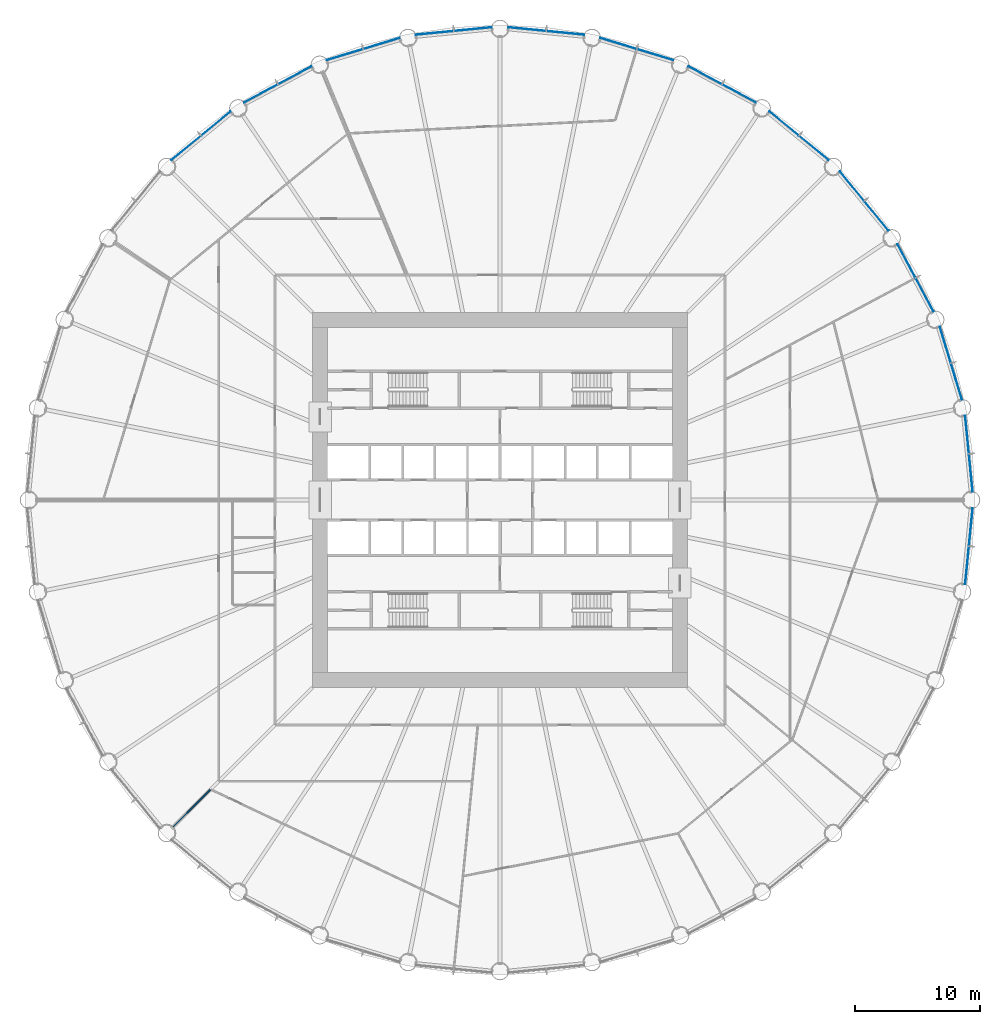
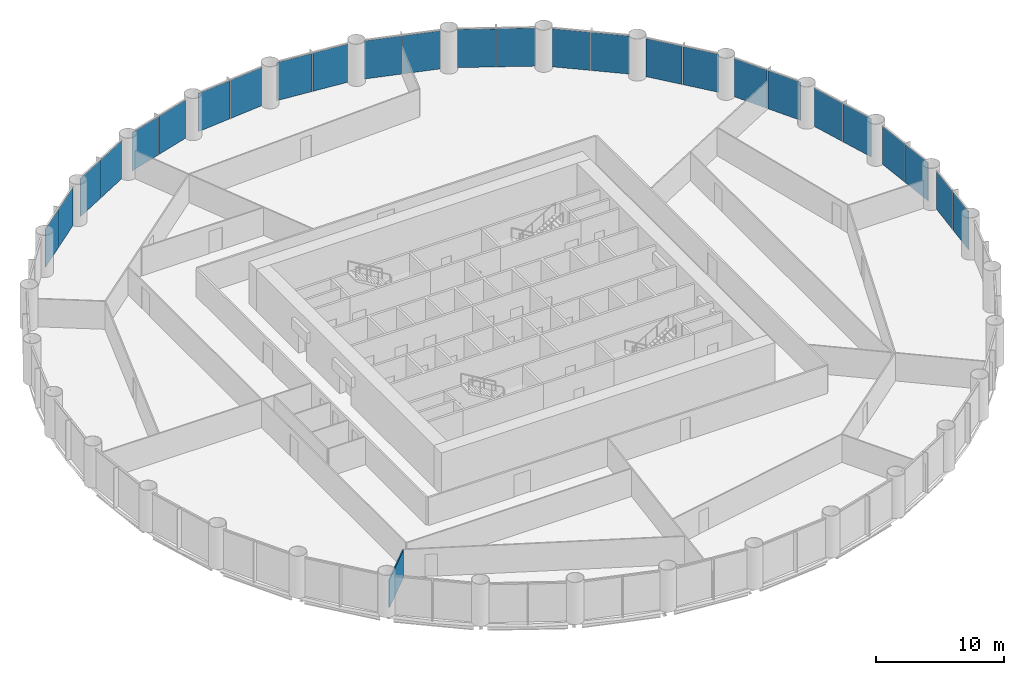
# One storey, part 9 of 14: 26 plates, 1 wall, 13 elements without a shape of their own.
"""IFC4 building model written with IfcOpenShell, lengths in metres."""

from ifc_helpers import new_model, si_unit, direction, frame, frame_2d, origin, origin_2d, place, context, subcontext, project, spatial, rectangle, extrude, material, layer, layer_set, type_object, element, aggregate, save


model = new_model("IFC4")

# Units and contexts
model_context = context("Model", 3, precision=1e-05, world=origin(), true_north=direction((0.0, 1.0)))
body_context = subcontext(model_context, "Body", "Model", "MODEL_VIEW")
ifc_project = project(units=[si_unit("LENGTHUNIT", "METRE"), si_unit("AREAUNIT", "SQUARE_METRE"), si_unit("VOLUMEUNIT", "CUBIC_METRE"), si_unit("PLANEANGLEUNIT", "RADIAN"), si_unit("MASSUNIT", "GRAM", prefix="KILO")], contexts=[model_context])

# Site, building, storey
site_placement = place(None, origin())
site = spatial("IfcSite", under=ifc_project, at=site_placement, CompositionType="ELEMENT")
building_placement = place(site_placement, origin())
building = spatial("IfcBuilding", under=site, at=building_placement, Name="Corvane Civic Tower", CompositionType="ELEMENT")
storey_placement = place(building_placement, frame((0.0, 0.0, 81.0)))
storey = spatial("IfcBuildingStorey", under=building, at=storey_placement, Name="L18", CompositionType="ELEMENT", Elevation=81.0)

# Curtain wall, plates
ifc_material_1 = material(Name="Anodised aluminium bronze", Category="aluminium")
curtain_wall_type = type_object("IfcCurtainWallType", Name="TOWER CW-T1 STICK CURTAIN WALL", PredefinedType="NOTDEFINED", material=ifc_material_1)
curtain_wall_1_placement = place(storey_placement, origin())
curtain_wall_1 = element("IfcCurtainWall", 1, at=curtain_wall_1_placement, inside=storey, type_object=curtain_wall_type, Name="Curtain wall CW-T1 L18 bay 01", PredefinedType="NOTDEFINED")
ifc_material_2 = material(Name="Tinted glass", Category="glass")
ifc_layer_1 = layer(ifc_material_2, 0.035888671875)
ifc_layer_set_1 = layer_set([ifc_layer_1], Name="Tinted glass")
plate_type = type_object("IfcPlateType", Name="TOWER CW-T1 PANEL IGU36", PredefinedType="CURTAIN_PANEL", material=ifc_layer_set_1)
plate_1_placement = place(storey_placement, frame((2.158203125, 37.667236328125, 0.0), z_axis=(0.0, 0.0, 1.0), x_axis=(0.995185800248, -0.098006239521, 0.0)))
plate_1 = element("IfcPlate", 2, at=plate_1_placement, type_object=plate_type, Name="Glass panel CW-T1 L18 01.1", PredefinedType="CURTAIN_PANEL", context=body_context, shape_type="SweptSolid", body=[
    extrude(rectangle(XDim=3.008544921875, YDim=0.035888671875, at=origin_2d()), origin(), (0.0, 0.0, 1.0), 3.6298828125),
])
plate_2_placement = place(storey_placement, frame((5.23193359375, 37.36474609375, 0.0), z_axis=(0.0, 0.0, 1.0), x_axis=(0.995185800248, -0.098006239521, 0.0)))
plate_2 = element("IfcPlate", 3, at=plate_2_placement, type_object=plate_type, Name="Glass panel CW-T1 L18 01.2", PredefinedType="CURTAIN_PANEL", context=body_context, shape_type="SweptSolid", body=[
    extrude(rectangle(XDim=3.008544921875, YDim=0.035888671875, at=origin_2d()), origin(), (0.0, 0.0, 1.0), 3.6298828125),
])
aggregate(curtain_wall_1, [plate_1, plate_2])

curtain_wall_2_placement = place(storey_placement, origin())
curtain_wall_2 = element("IfcCurtainWall", 4, at=curtain_wall_2_placement, inside=storey, type_object=curtain_wall_type, Name="Curtain wall CW-T1 L18 bay 02", PredefinedType="NOTDEFINED")
plate_3_placement = place(storey_placement, frame((9.46533203125, 36.522705078125, 0.0), z_axis=(0.0, 0.0, 1.0), x_axis=(0.956942240606, -0.290278397654, 0.0)))
plate_3 = element("IfcPlate", 5, at=plate_3_placement, type_object=plate_type, Name="Glass panel CW-T1 L18 02.1", PredefinedType="CURTAIN_PANEL", context=body_context, shape_type="SweptSolid", body=[
    extrude(rectangle(XDim=3.008544921875, YDim=0.035888671875, at=origin_2d()), origin(), (0.0, 0.0, 1.0), 3.6298828125),
])
plate_4_placement = place(storey_placement, frame((12.4208984375, 35.6259765625, 0.0), z_axis=(0.0, 0.0, 1.0), x_axis=(0.956942240606, -0.290278397654, 0.0)))
plate_4 = element("IfcPlate", 6, at=plate_4_placement, type_object=plate_type, Name="Glass panel CW-T1 L18 02.2", PredefinedType="CURTAIN_PANEL", context=body_context, shape_type="SweptSolid", body=[
    extrude(rectangle(XDim=3.008544921875, YDim=0.035888671875, at=origin_2d()), origin(), (0.0, 0.0, 1.0), 3.6298828125),
])
aggregate(curtain_wall_2, [plate_3, plate_4])

curtain_wall_3_placement = place(storey_placement, origin())
curtain_wall_3 = element("IfcCurtainWall", 7, at=curtain_wall_3_placement, inside=storey, type_object=curtain_wall_type, Name="Curtain wall CW-T1 L18 bay 03", PredefinedType="NOTDEFINED")
plate_5_placement = place(storey_placement, frame((16.40869140625, 33.974365234375, 0.0), z_axis=(0.0, 0.0, 1.0), x_axis=(0.881917528864, -0.471403725359, 0.0)))
plate_5 = element("IfcPlate", 8, at=plate_5_placement, type_object=plate_type, Name="Glass panel CW-T1 L18 03.1", PredefinedType="CURTAIN_PANEL", context=body_context, shape_type="SweptSolid", body=[
    extrude(rectangle(XDim=3.008544921875, YDim=0.035888671875, at=origin_2d()), origin(), (0.0, 0.0, 1.0), 3.6298828125),
])
plate_6_placement = place(storey_placement, frame((19.132568359375, 32.518310546875, 0.0), z_axis=(0.0, 0.0, 1.0), x_axis=(0.881917528864, -0.471403725359, 0.0)))
plate_6 = element("IfcPlate", 9, at=plate_6_placement, type_object=plate_type, Name="Glass panel CW-T1 L18 03.2", PredefinedType="CURTAIN_PANEL", context=body_context, shape_type="SweptSolid", body=[
    extrude(rectangle(XDim=3.008544921875, YDim=0.035888671875, at=origin_2d()), origin(), (0.0, 0.0, 1.0), 3.6298828125),
])
aggregate(curtain_wall_3, [plate_5, plate_6])

curtain_wall_4_placement = place(storey_placement, origin())
curtain_wall_4 = element("IfcCurtainWall", 10, at=curtain_wall_4_placement, inside=storey, type_object=curtain_wall_type, Name="Curtain wall CW-T1 L18 bay 04", PredefinedType="NOTDEFINED")
plate_7_placement = place(storey_placement, frame((22.721435546875, 30.120361328125, 0.0), z_axis=(0.0, 0.0, 1.0), x_axis=(0.773007224463, -0.634397218569, 0.0)))
plate_7 = element("IfcPlate", 11, at=plate_7_placement, type_object=plate_type, Name="Glass panel CW-T1 L18 04.1", PredefinedType="CURTAIN_PANEL", context=body_context, shape_type="SweptSolid", body=[
    extrude(rectangle(XDim=3.008544921875, YDim=0.035888671875, at=origin_2d()), origin(), (0.0, 0.0, 1.0), 3.6298828125),
])
plate_8_placement = place(storey_placement, frame((25.10888671875, 28.160888671875, 0.0), z_axis=(0.0, 0.0, 1.0), x_axis=(0.773007224463, -0.634397218569, 0.0)))
plate_8 = element("IfcPlate", 12, at=plate_8_placement, type_object=plate_type, Name="Glass panel CW-T1 L18 04.2", PredefinedType="CURTAIN_PANEL", context=body_context, shape_type="SweptSolid", body=[
    extrude(rectangle(XDim=3.008544921875, YDim=0.035888671875, at=origin_2d()), origin(), (0.0, 0.0, 1.0), 3.6298828125),
])
aggregate(curtain_wall_4, [plate_7, plate_8])

curtain_wall_5_placement = place(storey_placement, origin())
curtain_wall_5 = element("IfcCurtainWall", 13, at=curtain_wall_5_placement, inside=storey, type_object=curtain_wall_type, Name="Curtain wall CW-T1 L18 bay 05", PredefinedType="NOTDEFINED")
plate_9_placement = place(storey_placement, frame((28.160888671875, 25.10888671875, 0.0), z_axis=(0.0, 0.0, 1.0), x_axis=(0.634397218569, -0.773007224463, 0.0)))
plate_9 = element("IfcPlate", 14, at=plate_9_placement, type_object=plate_type, Name="Glass panel CW-T1 L18 05.1", PredefinedType="CURTAIN_PANEL", context=body_context, shape_type="SweptSolid", body=[
    extrude(rectangle(XDim=3.008544921875, YDim=0.035888671875, at=origin_2d()), origin(), (0.0, 0.0, 1.0), 3.6298828125),
])
plate_10_placement = place(storey_placement, frame((30.120361328125, 22.721435546875, 0.0), z_axis=(0.0, 0.0, 1.0), x_axis=(0.634397218569, -0.773007224463, 0.0)))
plate_10 = element("IfcPlate", 15, at=plate_10_placement, type_object=plate_type, Name="Glass panel CW-T1 L18 05.2", PredefinedType="CURTAIN_PANEL", context=body_context, shape_type="SweptSolid", body=[
    extrude(rectangle(XDim=3.008544921875, YDim=0.035888671875, at=origin_2d()), origin(), (0.0, 0.0, 1.0), 3.6298828125),
])
aggregate(curtain_wall_5, [plate_9, plate_10])

curtain_wall_6_placement = place(storey_placement, origin())
curtain_wall_6 = element("IfcCurtainWall", 16, at=curtain_wall_6_placement, inside=storey, type_object=curtain_wall_type, Name="Curtain wall CW-T1 L18 bay 06", PredefinedType="NOTDEFINED")
plate_11_placement = place(storey_placement, frame((32.518310546875, 19.132568359375, 0.0), z_axis=(0.0, 0.0, 1.0), x_axis=(0.471403725359, -0.881917528864, 0.0)))
plate_11 = element("IfcPlate", 17, at=plate_11_placement, type_object=plate_type, Name="Glass panel CW-T1 L18 06.1", PredefinedType="CURTAIN_PANEL", context=body_context, shape_type="SweptSolid", body=[
    extrude(rectangle(XDim=3.008544921875, YDim=0.035888671875, at=origin_2d()), origin(), (0.0, 0.0, 1.0), 3.6298828125),
])
plate_12_placement = place(storey_placement, frame((33.974365234375, 16.40869140625, 0.0), z_axis=(0.0, 0.0, 1.0), x_axis=(0.471403725359, -0.881917528864, 0.0)))
plate_12 = element("IfcPlate", 18, at=plate_12_placement, type_object=plate_type, Name="Glass panel CW-T1 L18 06.2", PredefinedType="CURTAIN_PANEL", context=body_context, shape_type="SweptSolid", body=[
    extrude(rectangle(XDim=3.008544921875, YDim=0.035888671875, at=origin_2d()), origin(), (0.0, 0.0, 1.0), 3.6298828125),
])
aggregate(curtain_wall_6, [plate_11, plate_12])

curtain_wall_7_placement = place(storey_placement, origin())
curtain_wall_7 = element("IfcCurtainWall", 19, at=curtain_wall_7_placement, inside=storey, type_object=curtain_wall_type, Name="Curtain wall CW-T1 L18 bay 07", PredefinedType="NOTDEFINED")
plate_13_placement = place(storey_placement, frame((35.6259765625, 12.4208984375, 0.0), z_axis=(0.0, 0.0, 1.0), x_axis=(0.290278397654, -0.956942240606, 0.0)))
plate_13 = element("IfcPlate", 20, at=plate_13_placement, type_object=plate_type, Name="Glass panel CW-T1 L18 07.1", PredefinedType="CURTAIN_PANEL", context=body_context, shape_type="SweptSolid", body=[
    extrude(rectangle(XDim=3.008544921875, YDim=0.035888671875, at=origin_2d()), origin(), (0.0, 0.0, 1.0), 3.6298828125),
])
plate_14_placement = place(storey_placement, frame((36.522705078125, 9.46533203125, 0.0), z_axis=(0.0, 0.0, 1.0), x_axis=(0.290278397654, -0.956942240606, 0.0)))
plate_14 = element("IfcPlate", 21, at=plate_14_placement, type_object=plate_type, Name="Glass panel CW-T1 L18 07.2", PredefinedType="CURTAIN_PANEL", context=body_context, shape_type="SweptSolid", body=[
    extrude(rectangle(XDim=3.008544921875, YDim=0.035888671875, at=origin_2d()), origin(), (0.0, 0.0, 1.0), 3.6298828125),
])
aggregate(curtain_wall_7, [plate_13, plate_14])

curtain_wall_8_placement = place(storey_placement, origin())
curtain_wall_8 = element("IfcCurtainWall", 22, at=curtain_wall_8_placement, inside=storey, type_object=curtain_wall_type, Name="Curtain wall CW-T1 L18 bay 08", PredefinedType="NOTDEFINED")
plate_15_placement = place(storey_placement, frame((37.36474609375, 5.23193359375, 0.0), z_axis=(0.0, 0.0, 1.0), x_axis=(0.098006239521, -0.995185800248, 0.0)))
plate_15 = element("IfcPlate", 23, at=plate_15_placement, type_object=plate_type, Name="Glass panel CW-T1 L18 08.1", PredefinedType="CURTAIN_PANEL", context=body_context, shape_type="SweptSolid", body=[
    extrude(rectangle(XDim=3.008544921875, YDim=0.035888671875, at=origin_2d()), origin(), (0.0, 0.0, 1.0), 3.6298828125),
])
plate_16_placement = place(storey_placement, frame((37.667236328125, 2.158203125, 0.0), z_axis=(0.0, 0.0, 1.0), x_axis=(0.098006239521, -0.995185800248, 0.0)))
plate_16 = element("IfcPlate", 24, at=plate_16_placement, type_object=plate_type, Name="Glass panel CW-T1 L18 08.2", PredefinedType="CURTAIN_PANEL", context=body_context, shape_type="SweptSolid", body=[
    extrude(rectangle(XDim=3.008544921875, YDim=0.035888671875, at=origin_2d()), origin(), (0.0, 0.0, 1.0), 3.6298828125),
])
aggregate(curtain_wall_8, [plate_15, plate_16])

curtain_wall_9_placement = place(storey_placement, origin())
curtain_wall_9 = element("IfcCurtainWall", 25, at=curtain_wall_9_placement, inside=storey, type_object=curtain_wall_type, Name="Curtain wall CW-T1 L18 bay 09", PredefinedType="NOTDEFINED")
plate_17_placement = place(storey_placement, frame((37.667236328125, -2.158203125, 0.0), z_axis=(0.0, 0.0, 1.0), x_axis=(-0.098006239521, -0.995185800248, 0.0)))
plate_17 = element("IfcPlate", 26, at=plate_17_placement, type_object=plate_type, Name="Glass panel CW-T1 L18 09.1", PredefinedType="CURTAIN_PANEL", context=body_context, shape_type="SweptSolid", body=[
    extrude(rectangle(XDim=3.008544921875, YDim=0.035888671875, at=origin_2d()), origin(), (0.0, 0.0, 1.0), 3.6298828125),
])
plate_18_placement = place(storey_placement, frame((37.36474609375, -5.23193359375, 0.0), z_axis=(0.0, 0.0, 1.0), x_axis=(-0.098006239521, -0.995185800248, 0.0)))
plate_18 = element("IfcPlate", 27, at=plate_18_placement, type_object=plate_type, Name="Glass panel CW-T1 L18 09.2", PredefinedType="CURTAIN_PANEL", context=body_context, shape_type="SweptSolid", body=[
    extrude(rectangle(XDim=3.008544921875, YDim=0.035888671875, at=origin_2d()), origin(), (0.0, 0.0, 1.0), 3.6298828125),
])
aggregate(curtain_wall_9, [plate_17, plate_18])

curtain_wall_10_placement = place(storey_placement, origin())
curtain_wall_10 = element("IfcCurtainWall", 28, at=curtain_wall_10_placement, inside=storey, type_object=curtain_wall_type, Name="Curtain wall CW-T1 L18 bay 29", PredefinedType="NOTDEFINED")
plate_19_placement = place(storey_placement, frame((-25.10888671875, 28.160888671875, 0.0), z_axis=(0.0, 0.0, 1.0), x_axis=(0.773007224463, 0.634397218569, 0.0)))
plate_19 = element("IfcPlate", 29, at=plate_19_placement, type_object=plate_type, Name="Glass panel CW-T1 L18 29.1", PredefinedType="CURTAIN_PANEL", context=body_context, shape_type="SweptSolid", body=[
    extrude(rectangle(XDim=3.008544921875, YDim=0.035888671875, at=origin_2d()), origin(), (0.0, 0.0, 1.0), 3.6298828125),
])
plate_20_placement = place(storey_placement, frame((-22.721435546875, 30.120361328125, 0.0), z_axis=(0.0, 0.0, 1.0), x_axis=(0.773007224463, 0.634397218569, 0.0)))
plate_20 = element("IfcPlate", 30, at=plate_20_placement, type_object=plate_type, Name="Glass panel CW-T1 L18 29.2", PredefinedType="CURTAIN_PANEL", context=body_context, shape_type="SweptSolid", body=[
    extrude(rectangle(XDim=3.008544921875, YDim=0.035888671875, at=origin_2d()), origin(), (0.0, 0.0, 1.0), 3.6298828125),
])
aggregate(curtain_wall_10, [plate_19, plate_20])

curtain_wall_11_placement = place(storey_placement, origin())
curtain_wall_11 = element("IfcCurtainWall", 31, at=curtain_wall_11_placement, inside=storey, type_object=curtain_wall_type, Name="Curtain wall CW-T1 L18 bay 30", PredefinedType="NOTDEFINED")
plate_21_placement = place(storey_placement, frame((-19.132568359375, 32.518310546875, 0.0), z_axis=(0.0, 0.0, 1.0), x_axis=(0.881917528864, 0.471403725359, 0.0)))
plate_21 = element("IfcPlate", 32, at=plate_21_placement, type_object=plate_type, Name="Glass panel CW-T1 L18 30.1", PredefinedType="CURTAIN_PANEL", context=body_context, shape_type="SweptSolid", body=[
    extrude(rectangle(XDim=3.008544921875, YDim=0.035888671875, at=origin_2d()), origin(), (0.0, 0.0, 1.0), 3.6298828125),
])
plate_22_placement = place(storey_placement, frame((-16.40869140625, 33.974365234375, 0.0), z_axis=(0.0, 0.0, 1.0), x_axis=(0.881917528864, 0.471403725359, 0.0)))
plate_22 = element("IfcPlate", 33, at=plate_22_placement, type_object=plate_type, Name="Glass panel CW-T1 L18 30.2", PredefinedType="CURTAIN_PANEL", context=body_context, shape_type="SweptSolid", body=[
    extrude(rectangle(XDim=3.008544921875, YDim=0.035888671875, at=origin_2d()), origin(), (0.0, 0.0, 1.0), 3.6298828125),
])
aggregate(curtain_wall_11, [plate_21, plate_22])

curtain_wall_12_placement = place(storey_placement, origin())
curtain_wall_12 = element("IfcCurtainWall", 34, at=curtain_wall_12_placement, inside=storey, type_object=curtain_wall_type, Name="Curtain wall CW-T1 L18 bay 31", PredefinedType="NOTDEFINED")
plate_23_placement = place(storey_placement, frame((-12.4208984375, 35.6259765625, 0.0), z_axis=(0.0, 0.0, 1.0), x_axis=(0.956942240606, 0.290278397654, 0.0)))
plate_23 = element("IfcPlate", 35, at=plate_23_placement, type_object=plate_type, Name="Glass panel CW-T1 L18 31.1", PredefinedType="CURTAIN_PANEL", context=body_context, shape_type="SweptSolid", body=[
    extrude(rectangle(XDim=3.008544921875, YDim=0.035888671875, at=origin_2d()), origin(), (0.0, 0.0, 1.0), 3.6298828125),
])
plate_24_placement = place(storey_placement, frame((-9.46533203125, 36.522705078125, 0.0), z_axis=(0.0, 0.0, 1.0), x_axis=(0.956942240606, 0.290278397654, 0.0)))
plate_24 = element("IfcPlate", 36, at=plate_24_placement, type_object=plate_type, Name="Glass panel CW-T1 L18 31.2", PredefinedType="CURTAIN_PANEL", context=body_context, shape_type="SweptSolid", body=[
    extrude(rectangle(XDim=3.008544921875, YDim=0.035888671875, at=origin_2d()), origin(), (0.0, 0.0, 1.0), 3.6298828125),
])
aggregate(curtain_wall_12, [plate_23, plate_24])

curtain_wall_13_placement = place(storey_placement, origin())
curtain_wall_13 = element("IfcCurtainWall", 37, at=curtain_wall_13_placement, inside=storey, type_object=curtain_wall_type, Name="Curtain wall CW-T1 L18 bay 32", PredefinedType="NOTDEFINED")
plate_25_placement = place(storey_placement, frame((-5.23193359375, 37.36474609375, 0.0), z_axis=(0.0, 0.0, 1.0), x_axis=(0.995185800248, 0.098006239521, 0.0)))
plate_25 = element("IfcPlate", 38, at=plate_25_placement, type_object=plate_type, Name="Glass panel CW-T1 L18 32.1", PredefinedType="CURTAIN_PANEL", context=body_context, shape_type="SweptSolid", body=[
    extrude(rectangle(XDim=3.008544921875, YDim=0.035888671875, at=origin_2d()), origin(), (0.0, 0.0, 1.0), 3.6298828125),
])
plate_26_placement = place(storey_placement, frame((-2.158203125, 37.667236328125, 0.0), z_axis=(0.0, 0.0, 1.0), x_axis=(0.995185800248, 0.098006239521, 0.0)))
plate_26 = element("IfcPlate", 39, at=plate_26_placement, type_object=plate_type, Name="Glass panel CW-T1 L18 32.2", PredefinedType="CURTAIN_PANEL", context=body_context, shape_type="SweptSolid", body=[
    extrude(rectangle(XDim=3.008544921875, YDim=0.035888671875, at=origin_2d()), origin(), (0.0, 0.0, 1.0), 3.6298828125),
])
aggregate(curtain_wall_13, [plate_25, plate_26])

# Wall
ifc_material_3 = material(Name="Plasterboard")
ifc_layer_2 = layer(ifc_material_3, 0.10009765625)
ifc_layer_set_2 = layer_set([ifc_layer_2], Name="Plasterboard")
wall_type = type_object("IfcWallType", Name="Partition 100 plasterboard on studs", PredefinedType="PARTITIONING", material=ifc_layer_set_2)
wall_placement = place(storey_placement, frame((-26.156005859375, -26.156005859375, 0.0), z_axis=(0.0, 0.0, 1.0), x_axis=(0.707106781187, 0.707106781187, 0.0)))
element("IfcWall", 40, at=wall_placement, inside=storey, type_object=wall_type, Name="Partition L18.006", PredefinedType="PARTITIONING", context=body_context, shape_type="SweptSolid", body=[
    extrude(rectangle(XDim=4.2109375, YDim=0.10009765625, at=frame_2d((2.10546875, 0.0))), origin(), (0.0, 0.0, 1.0), 2.64990234375),
])

save(model, "model.ifc")
